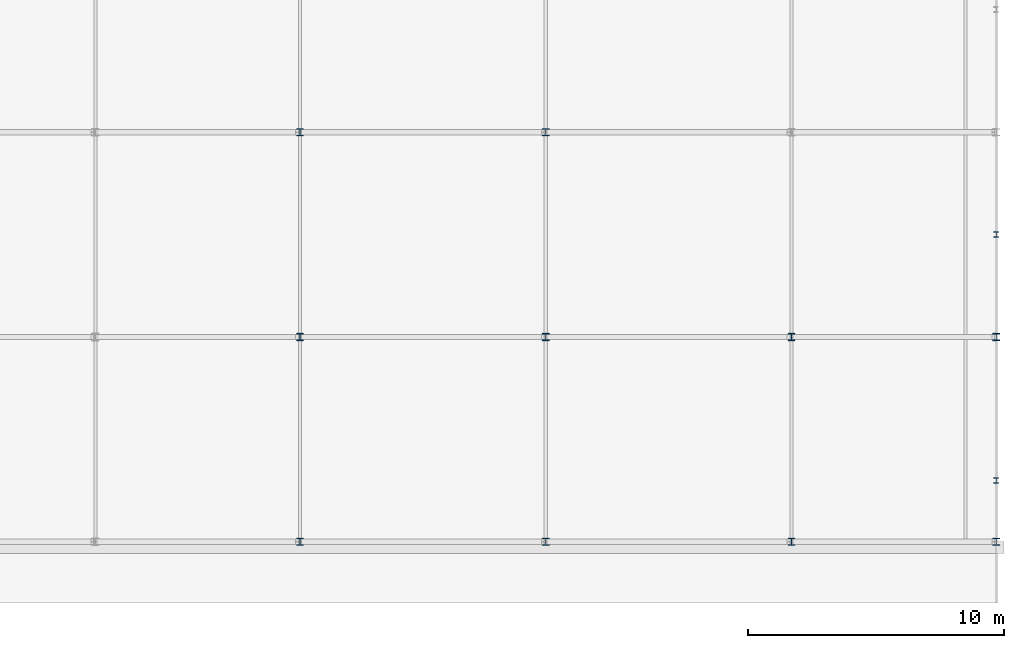
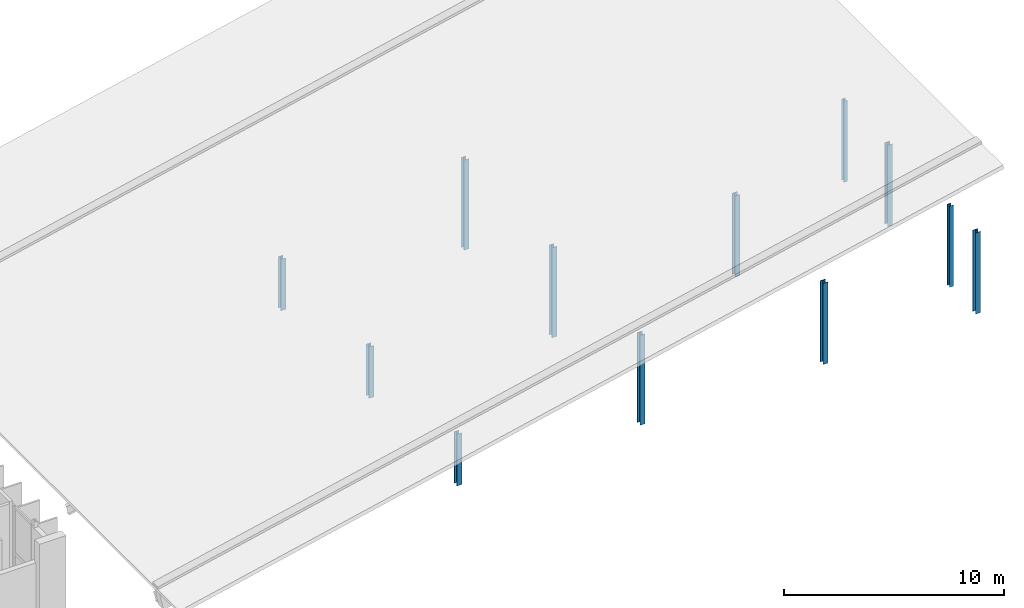
# One storey, part 5 of 41: 12 columns.
"""IFC4 building model written with IfcOpenShell, lengths in metres."""

from ifc_helpers import new_model, si_unit, direction, frame, origin, origin_2d, place, context, subcontext, project, spatial, i_section, extrude, material, material_profile, profile_set, type_object, element, save


model = new_model("IFC4")

# Units and contexts
model_context = context("Model", 3, precision=1e-05, world=origin(), true_north=direction((0.0, 1.0)))
body_context = subcontext(model_context, "Body", "Model", "MODEL_VIEW")
ifc_project = project(units=[si_unit("LENGTHUNIT", "METRE"), si_unit("AREAUNIT", "SQUARE_METRE"), si_unit("VOLUMEUNIT", "CUBIC_METRE"), si_unit("PLANEANGLEUNIT", "RADIAN"), si_unit("MASSUNIT", "GRAM", prefix="KILO")], contexts=[model_context])

# Site, building, storey
site_placement = place(None, origin())
site = spatial("IfcSite", under=ifc_project, at=site_placement, CompositionType="ELEMENT")
building_placement = place(site_placement, origin())
building = spatial("IfcBuilding", under=site, at=building_placement, Name="Dunescarp Central Library", CompositionType="ELEMENT")
storey_placement = place(building_placement, frame((0.0, 0.0, 23.10009765625)))
storey = spatial("IfcBuildingStorey", under=building, at=storey_placement, Name="L05", CompositionType="ELEMENT", Elevation=23.10009765625)

# Columns
ifc_material = material(Name="Steel S355JR", Category="steel")
ifc_material_profile_1 = material_profile(ifc_material, i_section(OverallWidth=0.206298828125, OverallDepth=0.2158203125, WebThickness=0.010009765625, FlangeThickness=0.017333984375, at=origin_2d()), Name="UC 203x203x71")
ifc_profile_set_1 = profile_set([ifc_material_profile_1], Name="Steel S355JR")
column_type_1 = type_object("IfcColumnType", Name="STR-COL-UC203X71", PredefinedType="COLUMN", material=ifc_profile_set_1)
for number, where, z_axis, x_axis, name in (
    (1, (124.800048828125, 7.199951171875, 0.0), (0.0, 0.0, 1.0), (1.0, 0.0, 0.0), "L05 column V3L-1248-72"),
    (2, (124.800048828125, 16.800048828125, 0.0), (0.0, 0.0, 1.0), (1.0, 0.0, 0.0), "L05 column V3L-1248-168"),
):
    element("IfcColumn", number, at=place(storey_placement, frame(where, z_axis=z_axis, x_axis=x_axis)), inside=storey, type_object=column_type_1, Name=name, PredefinedType="COLUMN", context=body_context, shape_type="SweptSolid", body=[
        extrude(i_section(OverallWidth=0.206298828125, OverallDepth=0.2158203125, WebThickness=0.010009765625, FlangeThickness=0.017333984375, at=origin_2d()), origin(), (0.0, 0.0, 1.0), 4.5),
    ])
ifc_material_profile_2 = material_profile(ifc_material, i_section(OverallWidth=0.26123046875, OverallDepth=0.2763671875, WebThickness=0.015380859375, FlangeThickness=0.025390625, at=origin_2d()), Name="UC 254x254x132")
ifc_profile_set_2 = profile_set([ifc_material_profile_2], Name="Steel S355JR")
column_type_2 = type_object("IfcColumnType", Name="STR-COL-UC254X132", PredefinedType="COLUMN", material=ifc_profile_set_2)
for number, where, z_axis, x_axis, name in (
    (3, (97.60009765625, 4.800048828125, 0.0), (0.0, 0.0, 1.0), (1.0, 0.0, 0.0), "L05 column V3-976-48"),
    (4, (97.60009765625, 12.800048828125, 0.0), (0.0, 0.0, 1.0), (1.0, 0.0, 0.0), "L05 column V3-976-128"),
    (5, (97.60009765625, 20.800048828125, 0.0), (0.0, 0.0, 1.0), (1.0, 0.0, 0.0), "L05 column V3-976-208"),
):
    element("IfcColumn", number, at=place(storey_placement, frame(where, z_axis=z_axis, x_axis=x_axis)), inside=storey, type_object=column_type_2, Name=name, PredefinedType="COLUMN", context=body_context, shape_type="SweptSolid", body=[
        extrude(i_section(OverallWidth=0.26123046875, OverallDepth=0.2763671875, WebThickness=0.015380859375, FlangeThickness=0.025390625, at=origin_2d()), origin(), (0.0, 0.0, 1.0), 2.849853515625),
    ])
for number, where, z_axis, x_axis, name in (
    (6, (107.199951171875, 4.800048828125, 0.0), (0.0, 0.0, 1.0), (1.0, 0.0, 0.0), "L05 column V3-1072-48"),
    (7, (107.199951171875, 12.800048828125, 0.0), (0.0, 0.0, 1.0), (1.0, 0.0, 0.0), "L05 column V3-1072-128"),
    (8, (107.199951171875, 20.800048828125, 0.0), (0.0, 0.0, 1.0), (1.0, 0.0, 0.0), "L05 column V3-1072-208"),
):
    element("IfcColumn", number, at=place(storey_placement, frame(where, z_axis=z_axis, x_axis=x_axis)), inside=storey, type_object=column_type_2, Name=name, PredefinedType="COLUMN", context=body_context, shape_type="SweptSolid", body=[
        extrude(i_section(OverallWidth=0.26123046875, OverallDepth=0.2763671875, WebThickness=0.015380859375, FlangeThickness=0.025390625, at=origin_2d()), origin(), (0.0, 0.0, 1.0), 4.98388671875),
    ])
for number, where, z_axis, x_axis, name in (
    (9, (116.800048828125, 4.800048828125, 0.0), (0.0, 0.0, 1.0), (1.0, 0.0, 0.0), "L05 column V3-1168-48"),
    (10, (116.800048828125, 12.800048828125, 0.0), (0.0, 0.0, 1.0), (1.0, 0.0, 0.0), "L05 column V3-1168-128"),
    (11, (124.800048828125, 4.800048828125, 0.0), (0.0, 0.0, 1.0), (1.0, 0.0, 0.0), "L05 column V3-1248-48"),
    (12, (124.800048828125, 12.800048828125, 0.0), (0.0, 0.0, 1.0), (1.0, 0.0, 0.0), "L05 column V3-1248-128"),
):
    element("IfcColumn", number, at=place(storey_placement, frame(where, z_axis=z_axis, x_axis=x_axis)), inside=storey, type_object=column_type_2, Name=name, PredefinedType="COLUMN", context=body_context, shape_type="SweptSolid", body=[
        extrude(i_section(OverallWidth=0.26123046875, OverallDepth=0.2763671875, WebThickness=0.015380859375, FlangeThickness=0.025390625, at=origin_2d()), origin(), (0.0, 0.0, 1.0), 4.5),
    ])

save(model, "model.ifc")
